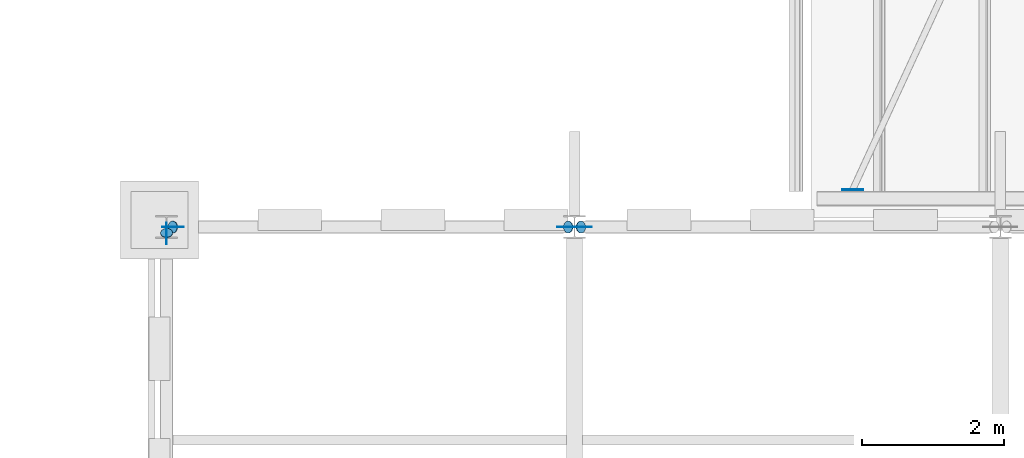
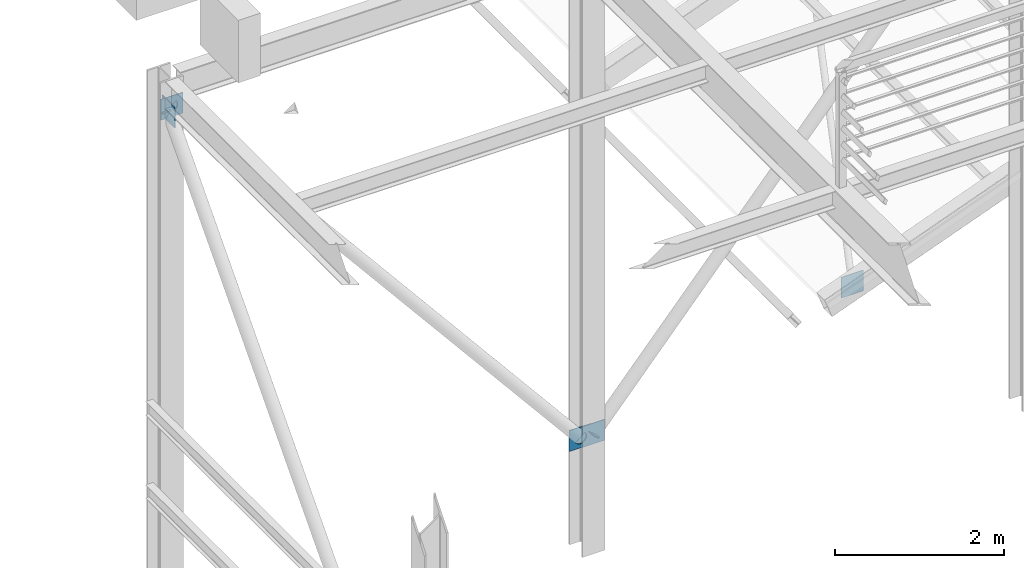
# One storey, part 46 of 57: 9 discrete accessories.
"""IFC4 building model written with IfcOpenShell, lengths in metres."""

from ifc_helpers import new_model, si_unit, direction, frame, origin, origin_2d, place, context, subcontext, project, spatial, rectangle, circle, extrude, material, material_profile, profile_set, type_object, element, save


model = new_model("IFC4")

# Units and contexts
model_context = context("Model", 3, precision=1e-05, world=origin(), true_north=direction((0.0, 1.0)))
body_context = subcontext(model_context, "Body", "Model", "MODEL_VIEW")
ifc_project = project(units=[si_unit("LENGTHUNIT", "METRE"), si_unit("AREAUNIT", "SQUARE_METRE"), si_unit("VOLUMEUNIT", "CUBIC_METRE"), si_unit("PLANEANGLEUNIT", "RADIAN"), si_unit("MASSUNIT", "GRAM", prefix="KILO")], contexts=[model_context])

# Site, building, storey
site_placement = place(None, origin())
site = spatial("IfcSite", under=ifc_project, at=site_placement, CompositionType="ELEMENT")
building_placement = place(site_placement, origin())
building = spatial("IfcBuilding", under=site, at=building_placement, Name="Saffron Lane Theatres", CompositionType="ELEMENT")
storey_placement = place(building_placement, frame((0.0, 0.0, 28.0)))
storey = spatial("IfcBuildingStorey", under=building, at=storey_placement, Name="Upper Roof", CompositionType="ELEMENT", Elevation=28.0)

# Discrete accessories
ifc_material_1 = material(Name="Steel Grade 350", Category="steel")
ifc_material_profile_1 = material_profile(ifc_material_1, rectangle(XDim=0.300048828125, YDim=0.300048828125, at=origin_2d()))
ifc_profile_set_1 = profile_set([ifc_material_profile_1], Name="Steel Grade 350")
discrete_accessory_type_1 = type_object("IfcDiscreteAccessoryType", Name="ST-GUSSET CONNECTION PLATE", PredefinedType="BRACKET", material=ifc_profile_set_1)
discrete_accessory_1_placement = place(storey_placement, frame((27.92041015625, 54.76953125, 2.0986328125), z_axis=(0.0, 1.0, 0.0), x_axis=(-1.0, 0.0, 0.0)))
element("IfcDiscreteAccessory", 1, at=discrete_accessory_1_placement, inside=storey, type_object=discrete_accessory_type_1, Name="GB5", PredefinedType="BRACKET", context=body_context, shape_type="SweptSolid", body=[
    extrude(rectangle(XDim=0.300048828125, YDim=0.300048828125, at=origin_2d()), origin(), (0.0, 0.0, 1.0), 0.010009765625),
])
for number, where, z_axis, x_axis, name in (
    (2, (23.9072265625, 54.2451171875, 1.61181640625), (0.0, 1.0, 0.0), (-1.0, 0.0, 0.0), "GB119"),
    (3, (18.3427734375, 54.2451171875, 8.33203125), (0.0, 1.0, 0.0), (-1.0, 0.0, 0.0), "GB120"),
    (4, (24.091552734375, 54.2451171875, 1.60595703125), (0.0, 1.0, 0.0), (-1.0, 0.0, 0.0), "GB123"),
    (5, (18.2451171875, 54.15966796875, 8.343505859375), (1.0, 0.0, 0.0), (0.0, 1.0, 0.0), "GB152"),
):
    element("IfcDiscreteAccessory", number, at=place(storey_placement, frame(where, z_axis=z_axis, x_axis=x_axis)), inside=storey, type_object=discrete_accessory_type_1, Name=name, PredefinedType="BRACKET", context=body_context, shape_type="SweptSolid", body=[
        extrude(rectangle(XDim=0.300048828125, YDim=0.300048828125, at=origin_2d()), origin(), (0.0, 0.0, 1.0), 0.009765625),
    ])
ifc_material_2 = material(Name="Steel Grade 350", Category="steel")
ifc_material_profile_2 = material_profile(ifc_material_2, circle(Radius=0.084228515625, at=origin_2d()))
ifc_profile_set_2 = profile_set([ifc_material_profile_2], Name="Steel Grade 350")
discrete_accessory_type_2 = type_object("IfcDiscreteAccessoryType", Name="ST-STEEL END CAP 168.3x6.4 CHS", PredefinedType="ANCHORPLATE", material=ifc_profile_set_2)
discrete_accessory_2_placement = place(storey_placement, frame((23.9150390625, 54.25, 1.602783203125), z_axis=(-0.654151932932, 0.0, 0.756363172452), x_axis=(0.0, -1.0, 0.0)))
element("IfcDiscreteAccessory", 6, at=discrete_accessory_2_placement, inside=storey, type_object=discrete_accessory_type_2, Name="EC65", PredefinedType="ANCHORPLATE", context=body_context, shape_type="SweptSolid", body=[
    extrude(circle(Radius=0.084228515625, at=origin_2d()), origin(), (0.0, 0.0, 1.0), 0.011962890625),
])
discrete_accessory_3_placement = place(storey_placement, frame((18.3427734375, 54.25, 8.33203125), z_axis=(-0.644135745783, 0.0, 0.764911198117), x_axis=(0.0, -1.0, 0.0)))
element("IfcDiscreteAccessory", 7, at=discrete_accessory_3_placement, inside=storey, type_object=discrete_accessory_type_2, Name="EC66", PredefinedType="ANCHORPLATE", context=body_context, shape_type="SweptSolid", body=[
    extrude(circle(Radius=0.084228515625, at=origin_2d()), origin(), (0.0, 0.0, 1.0), 0.01220703125),
])
discrete_accessory_4_placement = place(storey_placement, frame((24.083740234375, 54.25, 1.596923828125), z_axis=(0.654151932932, 0.0, 0.756363172452), x_axis=(0.0, 1.0, 0.0)))
element("IfcDiscreteAccessory", 8, at=discrete_accessory_4_placement, inside=storey, type_object=discrete_accessory_type_2, Name="EC69", PredefinedType="ANCHORPLATE", context=body_context, shape_type="SweptSolid", body=[
    extrude(circle(Radius=0.084228515625, at=origin_2d()), origin(), (0.0, 0.0, 1.0), 0.011962890625),
])
discrete_accessory_5_placement = place(storey_placement, frame((18.25, 54.15966796875, 8.343505859375), z_axis=(0.0, 0.665614846958, 0.746295434469), x_axis=(-1.0, 0.0, 0.0)))
element("IfcDiscreteAccessory", 9, at=discrete_accessory_5_placement, inside=storey, type_object=discrete_accessory_type_2, Name="EC98", PredefinedType="ANCHORPLATE", context=body_context, shape_type="SweptSolid", body=[
    extrude(circle(Radius=0.084228515625, at=origin_2d()), origin(), (0.0, 0.0, 1.0), 0.01220703125),
])

save(model, "model.ifc")
